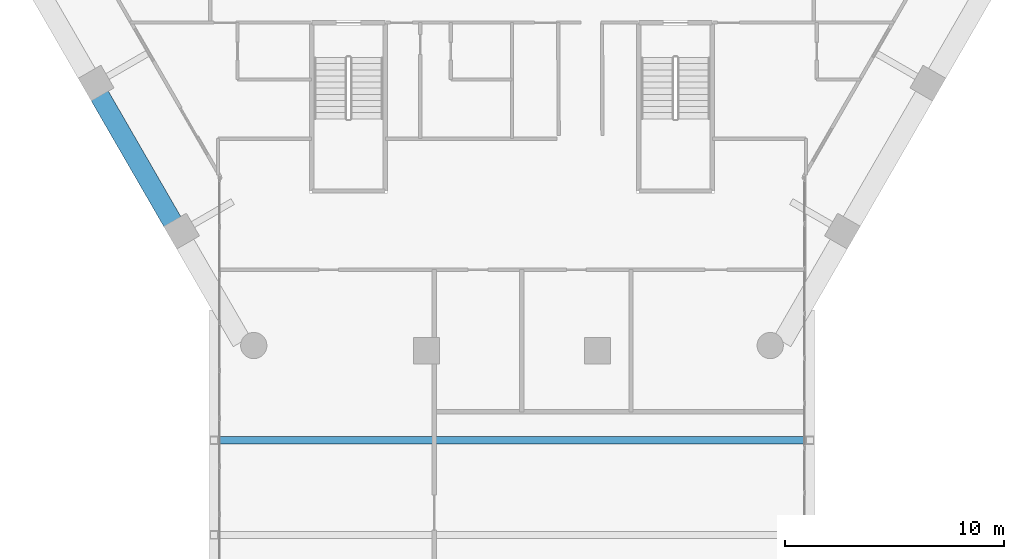
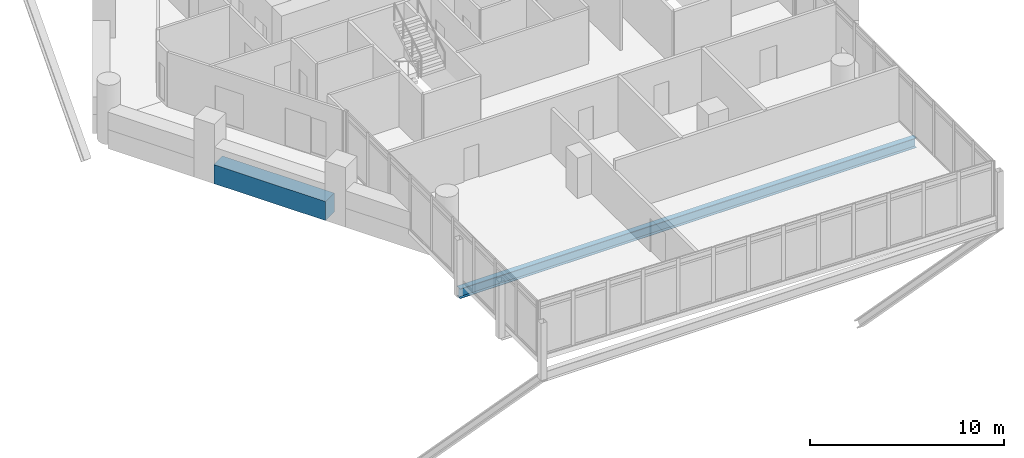
# One storey, part 10 of 37: 2 beams.
"""IFC4 building model written with IfcOpenShell, lengths in metres."""

import ifcopenshell
import ifcopenshell.guid

model = None  # the IFC model being written
_history = None  # IfcOwnerHistory: only IFC2X3 demands one
_inside = {}  # id of a spatial element -> (the spatial element, [elements in it])
_under = {}  # id of a project, library or spatial element -> (it, [spatial elements below it])
_declared = {}  # id of a project -> (the project, [libraries it declares])
_typed = {}  # id of a type object -> (the type object, [elements of that type])
_made_of = {}  # id of a material, layer set ... -> (it, [elements and type objects made of it])


def new_model(schema):
    """Start an empty IFC model of exactly this schema.

    Asked for "IFC4X3", IfcOpenShell would pick the latest addendum, in which some entities
    have other attributes; the version numbers below select the first issue.
    IFC2X3 requires an IfcOwnerHistory on every rooted entity: one is made here for all.
    """
    global model, _history
    if schema == "IFC4X3":
        model = ifcopenshell.file(schema_version=(4, 3, 0, 0))
    else:
        model = ifcopenshell.file(schema=schema)
    _inside.clear()
    _under.clear()
    _declared.clear()
    _typed.clear()
    _made_of.clear()
    _history = None
    if model.schema == "IFC2X3":
        org = make("IfcOrganization", Name="unknown")
        user = make(
            "IfcPersonAndOrganization",
            ThePerson=make("IfcPerson", FamilyName="unknown"),
            TheOrganization=org,
        )
        app = make(
            "IfcApplication",
            ApplicationDeveloper=org,
            Version="unknown",
            ApplicationFullName="unknown",
            ApplicationIdentifier="unknown",
        )
        _history = make(
            "IfcOwnerHistory",
            OwningUser=user,
            OwningApplication=app,
            ChangeAction="ADDED",
            CreationDate=0,
        )
    return model


def make(cls, **values):
    """One entity of the class cls with the attributes given. An attribute that is None is left unset."""
    return model.create_entity(
        cls, **{name: value for name, value in values.items() if value is not None}
    )


def rooted(cls, **values):
    """An entity with a GlobalId (a new one), such as an element, a storey or a relation."""
    return make(cls, GlobalId=ifcopenshell.guid.new(), OwnerHistory=_history, **values)


def si_unit(unit_type, name, prefix=None):
    """IfcSIUnit, for example si_unit("LENGTHUNIT", "METRE", prefix="MILLI")."""
    return make("IfcSIUnit", UnitType=unit_type, Prefix=prefix, Name=name)


def assignment(units):
    """IfcUnitAssignment: the units of a project."""
    return None if units is None else make("IfcUnitAssignment", Units=units)


def point(xyz):
    """IfcCartesianPoint."""
    return None if xyz is None else make("IfcCartesianPoint", Coordinates=xyz)


def direction(xyz):
    """IfcDirection."""
    return None if xyz is None else make("IfcDirection", DirectionRatios=xyz)


def frame(location, z_axis=None, x_axis=None):
    """IfcAxis2Placement3D, a coordinate frame: its origin and axes. An axis left out is left unset."""
    return make(
        "IfcAxis2Placement3D",
        Location=point(location),
        Axis=direction(z_axis),
        RefDirection=direction(x_axis),
    )


def frame_2d(location, x_axis=None):
    """IfcAxis2Placement2D, a coordinate frame in the plane: its origin and x axis."""
    return make(
        "IfcAxis2Placement2D", Location=point(location), RefDirection=direction(x_axis)
    )


def origin():
    """The frame at (0, 0, 0) with its axes left unset."""
    return frame((0.0, 0.0, 0.0))


def origin_2d():
    """The frame at (0, 0) in the plane with its x axis left unset."""
    return frame_2d((0.0, 0.0))


def place(relative_to, where):
    """IfcLocalPlacement: puts the frame where relative to a parent placement (None: the world)."""
    return make(
        "IfcLocalPlacement", PlacementRelTo=relative_to, RelativePlacement=where
    )


def context(
    kind, dimensions, precision=None, world=None, true_north=None, identifier=None
):
    """IfcGeometricRepresentationContext, for example the 3D "Model" context."""
    return make(
        "IfcGeometricRepresentationContext",
        ContextIdentifier=identifier,
        ContextType=kind,
        CoordinateSpaceDimension=dimensions,
        Precision=precision,
        WorldCoordinateSystem=world,
        TrueNorth=true_north,
    )


def subcontext(parent, identifier, kind, view, scale=None):
    """IfcGeometricRepresentationSubContext, for example "Body" below "Model"."""
    return make(
        "IfcGeometricRepresentationSubContext",
        ContextIdentifier=identifier,
        ContextType=kind,
        ParentContext=parent,
        TargetScale=scale,
        TargetView=view,
    )


def project(units=None, contexts=None):
    """IfcProject with its units and contexts."""
    return rooted(
        "IfcProject",
        Name="project",
        RepresentationContexts=contexts,
        UnitsInContext=assignment(units),
    )


def spatial(cls, under=None, at=None, **own):
    """A site, building, storey or space (cls), placed at a placement, below another one or the project."""
    s = rooted(cls, ObjectPlacement=at, **own)
    if under is not None:
        _under.setdefault(under.id(), (under, []))[1].append(s)
    return s


def profile(cls, at=None, kind="AREA", **sizes):
    """A parametric profile (cls). Its sizes go by their IFC names, for example OverallWidth=200.0."""
    return make(cls, ProfileType=kind, Position=at, **sizes)


def rectangle(**sizes):
    """IfcRectangleProfileDef."""
    return profile("IfcRectangleProfileDef", **sizes)


def i_section(**sizes):
    """IfcIShapeProfileDef."""
    return profile("IfcIShapeProfileDef", **sizes)


def extrude(swept, where, along, depth):
    """IfcExtrudedAreaSolid: the profile swept, set in the frame where, extruded along a direction by depth."""
    return make(
        "IfcExtrudedAreaSolid",
        SweptArea=swept,
        Position=where,
        ExtrudedDirection=direction(along),
        Depth=depth,
    )


def shape(context_of_items, identifier, shape_type, items):
    """IfcShapeRepresentation: the items that make up one representation, for example the "Body"."""
    return make(
        "IfcShapeRepresentation",
        ContextOfItems=context_of_items,
        RepresentationIdentifier=identifier,
        RepresentationType=shape_type,
        Items=items,
    )


def material(Name=None, Category=None):
    """IfcMaterial."""
    return make("IfcMaterial", Name=Name, Category=Category)


def material_profile(
    of_material, cross_section, Name=None, Category=None, Priority=None
):
    """IfcMaterialProfile: a cross section and its material."""
    return make(
        "IfcMaterialProfile",
        Name=Name,
        Material=of_material,
        Profile=cross_section,
        Priority=Priority,
        Category=Category,
    )


def profile_set(profiles, Name=None, composite=None):
    """IfcMaterialProfileSet."""
    return make(
        "IfcMaterialProfileSet",
        Name=Name,
        MaterialProfiles=profiles,
        CompositeProfile=composite,
    )


def made_of(thing, what):
    """Note that an element or type object is made of a material, layer set ...; save() writes the relation."""
    if what is not None:
        _made_of.setdefault(what.id(), (what, []))[1].append(thing)
    return thing


def type_object(cls, material=None, **own):
    """A type object (cls), such as IfcWallType, which elements share."""
    return made_of(rooted(cls, **own), material)


def element(
    cls,
    number,
    at=None,
    inside=None,
    cuts=None,
    type_object=None,
    material=None,
    context=None,
    identifier="Body",
    shape_type=None,
    held_by="IfcProductDefinitionShape",
    body=None,
    shapes=None,
    **own,
):
    """One element of the class cls, such as IfcWall. Its Tag is "e" and its number.

    at: its placement. inside: the storey or other place that contains it. cuts: it is an
    opening in that element (IfcRelVoidsElement). A single representation is given by context,
    identifier, shape_type and body (its items); several are given by shapes. held_by: the class
    of the entity that holds the representations. save() writes the other relations.
    """
    e = rooted(cls, Tag="e%d" % number, ObjectPlacement=at, **own)
    if body is not None:
        shapes = [shape(context, identifier, shape_type, body)]
    if shapes is not None:
        e.Representation = make(held_by, Representations=shapes)
    if inside is not None:
        _inside.setdefault(inside.id(), (inside, []))[1].append(e)
    if cuts is not None:
        rooted(
            "IfcRelVoidsElement", RelatingBuildingElement=cuts, RelatedOpeningElement=e
        )
    if type_object is not None:
        _typed.setdefault(type_object.id(), (type_object, []))[1].append(e)
    return made_of(e, material)


def aggregate(whole, parts):
    """IfcRelAggregates: a whole, such as a stair, and the parts it consists of."""
    return rooted("IfcRelAggregates", RelatingObject=whole, RelatedObjects=parts)


def save(model, path):
    """Write the relations noted so far, then the file.

    IfcRelAggregates (storeys below a building ...), IfcRelContainedInSpatialStructure (elements
    in a storey), IfcRelDefinesByType, IfcRelAssociatesMaterial and IfcRelDeclares: one each for
    every whole, place, type object, material and project.
    """
    for whole, parts in _under.values():
        aggregate(whole, parts)
    for where, things in _inside.values():
        rooted(
            "IfcRelContainedInSpatialStructure",
            RelatedElements=things,
            RelatingStructure=where,
        )
    for kind, things in _typed.values():
        rooted("IfcRelDefinesByType", RelatedObjects=things, RelatingType=kind)
    for what, things in _made_of.values():
        rooted("IfcRelAssociatesMaterial", RelatedObjects=things, RelatingMaterial=what)
    for by, libraries in _declared.values():
        rooted("IfcRelDeclares", RelatingContext=by, RelatedDefinitions=libraries)
    model.write(path)


model = new_model("IFC4")

# Units and contexts
model_context = context("Model", 3, precision=1e-05, world=origin(), true_north=direction((0.0, 1.0)))
body_context = subcontext(model_context, "Body", "Model", "MODEL_VIEW")
ifc_project = project(units=[si_unit("LENGTHUNIT", "METRE"), si_unit("AREAUNIT", "SQUARE_METRE"), si_unit("VOLUMEUNIT", "CUBIC_METRE"), si_unit("PLANEANGLEUNIT", "RADIAN"), si_unit("MASSUNIT", "GRAM", prefix="KILO")], contexts=[model_context])

# Site, building, storey
site_placement = place(None, origin())
site = spatial("IfcSite", under=ifc_project, at=site_placement, CompositionType="ELEMENT")
building_placement = place(site_placement, origin())
building = spatial("IfcBuilding", under=site, at=building_placement, Name="Ostrander Bayou Hotel Tower", CompositionType="ELEMENT")
storey_placement = place(building_placement, frame((0.0, 0.0, 131.0)))
storey = spatial("IfcBuildingStorey", under=building, at=storey_placement, Name="L32", CompositionType="ELEMENT", Elevation=131.0)

# Beams
ifc_material_1 = material(Name="Concrete f'c 70 MPa", Category="concrete")
ifc_material_profile_1 = material_profile(ifc_material_1, rectangle(XDim=0.89990234375, YDim=1.199951171875, at=origin_2d()))
ifc_profile_set_1 = profile_set([ifc_material_profile_1], Name="Concrete f'c 70 MPa")
beam_type_1 = type_object("IfcBeamType", Name="SP2 spandrel beam 900 x 1200 mm f'c 70 MPa", PredefinedType="SPANDREL", material=ifc_profile_set_1)
beam_1_placement = place(storey_placement, frame((-18.85888671875, -7.035400390625, -0.60009765625), z_axis=(0.499999023957, -0.866025967302, 0.0), x_axis=(0.866025967302, 0.499999023957, 0.0)))
element("IfcBeam", 1, at=beam_1_placement, inside=storey, type_object=beam_type_1, Name="SP2 L32 SW-2", PredefinedType="SPANDREL", context=body_context, shape_type="SweptSolid", body=[
    extrude(rectangle(XDim=0.89990234375, YDim=1.199951171875, at=origin_2d()), origin(), (0.0, 0.0, 1.0), 6.67333984375),
])
ifc_material_2 = material(Name="Steel ASTM A992", Category="steel")
ifc_material_profile_2 = material_profile(ifc_material_2, i_section(OverallWidth=0.32763671875, OverallDepth=0.621826171875, WebThickness=0.015380859375, FlangeThickness=0.0244140625, at=origin_2d()))
ifc_profile_set_2 = profile_set([ifc_material_profile_2], Name="Steel ASTM A992")
beam_type_2 = type_object("IfcBeamType", Name="TF1 bar floor beam W24x131", PredefinedType="BEAM", material=ifc_profile_set_2)
beam_2_placement = place(storey_placement, frame((-13.6201171875, -22.794677734375, -0.61083984375), z_axis=(1.0, 0.0, 0.0), x_axis=(0.0, 1.0, 0.0)))
element("IfcBeam", 2, at=beam_2_placement, inside=storey, type_object=beam_type_2, Name="TF1 SB3S L1-1", PredefinedType="BEAM", context=body_context, shape_type="SweptSolid", body=[
    extrude(i_section(OverallWidth=0.32763671875, OverallDepth=0.621826171875, WebThickness=0.015380859375, FlangeThickness=0.0244140625, at=origin_2d()), origin(), (0.0, 0.0, 1.0), 27.240234375),
])

save(model, "model.ifc")
